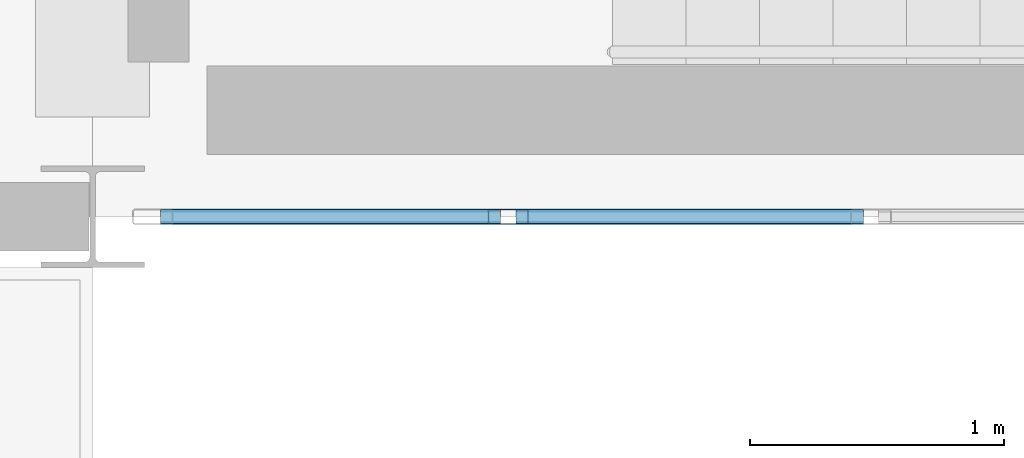
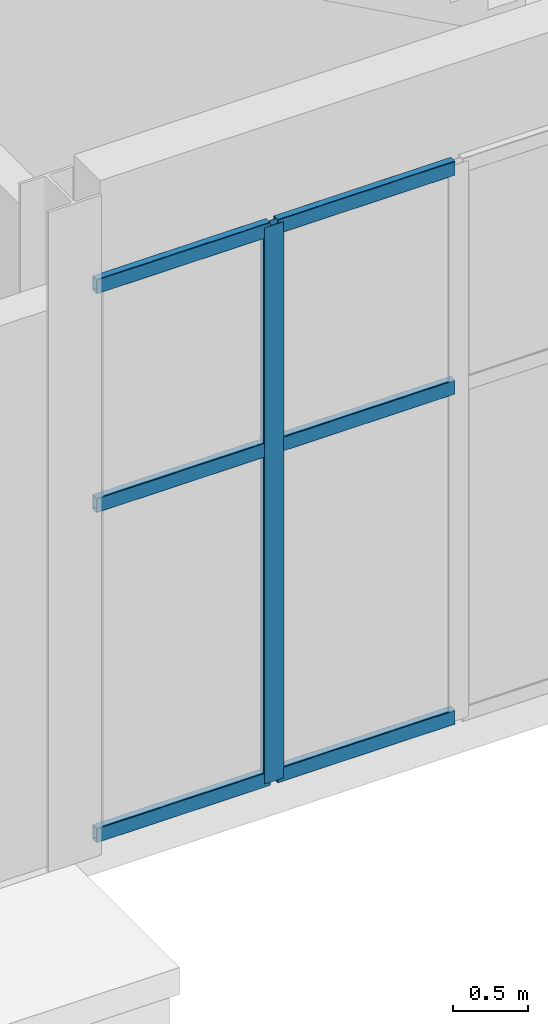
# One storey, part 55 of 95: 7 members, 1 element without a shape of its own.
"""IFC4 building model written with IfcOpenShell, lengths in metres."""

import ifcopenshell
import ifcopenshell.guid

model = None  # the IFC model being written
_history = None  # IfcOwnerHistory: only IFC2X3 demands one
_inside = {}  # id of a spatial element -> (the spatial element, [elements in it])
_under = {}  # id of a project, library or spatial element -> (it, [spatial elements below it])
_declared = {}  # id of a project -> (the project, [libraries it declares])
_typed = {}  # id of a type object -> (the type object, [elements of that type])
_made_of = {}  # id of a material, layer set ... -> (it, [elements and type objects made of it])


def new_model(schema):
    """Start an empty IFC model of exactly this schema.

    Asked for "IFC4X3", IfcOpenShell would pick the latest addendum, in which some entities
    have other attributes; the version numbers below select the first issue.
    IFC2X3 requires an IfcOwnerHistory on every rooted entity: one is made here for all.
    """
    global model, _history
    if schema == "IFC4X3":
        model = ifcopenshell.file(schema_version=(4, 3, 0, 0))
    else:
        model = ifcopenshell.file(schema=schema)
    _inside.clear()
    _under.clear()
    _declared.clear()
    _typed.clear()
    _made_of.clear()
    _history = None
    if model.schema == "IFC2X3":
        org = make("IfcOrganization", Name="unknown")
        user = make(
            "IfcPersonAndOrganization",
            ThePerson=make("IfcPerson", FamilyName="unknown"),
            TheOrganization=org,
        )
        app = make(
            "IfcApplication",
            ApplicationDeveloper=org,
            Version="unknown",
            ApplicationFullName="unknown",
            ApplicationIdentifier="unknown",
        )
        _history = make(
            "IfcOwnerHistory",
            OwningUser=user,
            OwningApplication=app,
            ChangeAction="ADDED",
            CreationDate=0,
        )
    return model


def make(cls, **values):
    """One entity of the class cls with the attributes given. An attribute that is None is left unset."""
    return model.create_entity(
        cls, **{name: value for name, value in values.items() if value is not None}
    )


def rooted(cls, **values):
    """An entity with a GlobalId (a new one), such as an element, a storey or a relation."""
    return make(cls, GlobalId=ifcopenshell.guid.new(), OwnerHistory=_history, **values)


def si_unit(unit_type, name, prefix=None):
    """IfcSIUnit, for example si_unit("LENGTHUNIT", "METRE", prefix="MILLI")."""
    return make("IfcSIUnit", UnitType=unit_type, Prefix=prefix, Name=name)


def assignment(units):
    """IfcUnitAssignment: the units of a project."""
    return None if units is None else make("IfcUnitAssignment", Units=units)


def point(xyz):
    """IfcCartesianPoint."""
    return None if xyz is None else make("IfcCartesianPoint", Coordinates=xyz)


def direction(xyz):
    """IfcDirection."""
    return None if xyz is None else make("IfcDirection", DirectionRatios=xyz)


def frame(location, z_axis=None, x_axis=None):
    """IfcAxis2Placement3D, a coordinate frame: its origin and axes. An axis left out is left unset."""
    return make(
        "IfcAxis2Placement3D",
        Location=point(location),
        Axis=direction(z_axis),
        RefDirection=direction(x_axis),
    )


def frame_2d(location, x_axis=None):
    """IfcAxis2Placement2D, a coordinate frame in the plane: its origin and x axis."""
    return make(
        "IfcAxis2Placement2D", Location=point(location), RefDirection=direction(x_axis)
    )


def origin():
    """The frame at (0, 0, 0) with its axes left unset."""
    return frame((0.0, 0.0, 0.0))


def origin_2d():
    """The frame at (0, 0) in the plane with its x axis left unset."""
    return frame_2d((0.0, 0.0))


def place(relative_to, where):
    """IfcLocalPlacement: puts the frame where relative to a parent placement (None: the world)."""
    return make(
        "IfcLocalPlacement", PlacementRelTo=relative_to, RelativePlacement=where
    )


def context(
    kind, dimensions, precision=None, world=None, true_north=None, identifier=None
):
    """IfcGeometricRepresentationContext, for example the 3D "Model" context."""
    return make(
        "IfcGeometricRepresentationContext",
        ContextIdentifier=identifier,
        ContextType=kind,
        CoordinateSpaceDimension=dimensions,
        Precision=precision,
        WorldCoordinateSystem=world,
        TrueNorth=true_north,
    )


def subcontext(parent, identifier, kind, view, scale=None):
    """IfcGeometricRepresentationSubContext, for example "Body" below "Model"."""
    return make(
        "IfcGeometricRepresentationSubContext",
        ContextIdentifier=identifier,
        ContextType=kind,
        ParentContext=parent,
        TargetScale=scale,
        TargetView=view,
    )


def project(units=None, contexts=None):
    """IfcProject with its units and contexts."""
    return rooted(
        "IfcProject",
        Name="project",
        RepresentationContexts=contexts,
        UnitsInContext=assignment(units),
    )


def spatial(cls, under=None, at=None, **own):
    """A site, building, storey or space (cls), placed at a placement, below another one or the project."""
    s = rooted(cls, ObjectPlacement=at, **own)
    if under is not None:
        _under.setdefault(under.id(), (under, []))[1].append(s)
    return s


def profile(cls, at=None, kind="AREA", **sizes):
    """A parametric profile (cls). Its sizes go by their IFC names, for example OverallWidth=200.0."""
    return make(cls, ProfileType=kind, Position=at, **sizes)


def hollow_rectangle(**sizes):
    """IfcRectangleHollowProfileDef."""
    return profile("IfcRectangleHollowProfileDef", **sizes)


def extrude(swept, where, along, depth):
    """IfcExtrudedAreaSolid: the profile swept, set in the frame where, extruded along a direction by depth."""
    return make(
        "IfcExtrudedAreaSolid",
        SweptArea=swept,
        Position=where,
        ExtrudedDirection=direction(along),
        Depth=depth,
    )


def shape(context_of_items, identifier, shape_type, items):
    """IfcShapeRepresentation: the items that make up one representation, for example the "Body"."""
    return make(
        "IfcShapeRepresentation",
        ContextOfItems=context_of_items,
        RepresentationIdentifier=identifier,
        RepresentationType=shape_type,
        Items=items,
    )


def material(Name=None, Category=None):
    """IfcMaterial."""
    return make("IfcMaterial", Name=Name, Category=Category)


def material_profile(
    of_material, cross_section, Name=None, Category=None, Priority=None
):
    """IfcMaterialProfile: a cross section and its material."""
    return make(
        "IfcMaterialProfile",
        Name=Name,
        Material=of_material,
        Profile=cross_section,
        Priority=Priority,
        Category=Category,
    )


def profile_set(profiles, Name=None, composite=None):
    """IfcMaterialProfileSet."""
    return make(
        "IfcMaterialProfileSet",
        Name=Name,
        MaterialProfiles=profiles,
        CompositeProfile=composite,
    )


def made_of(thing, what):
    """Note that an element or type object is made of a material, layer set ...; save() writes the relation."""
    if what is not None:
        _made_of.setdefault(what.id(), (what, []))[1].append(thing)
    return thing


def type_object(cls, material=None, **own):
    """A type object (cls), such as IfcWallType, which elements share."""
    return made_of(rooted(cls, **own), material)


def element(
    cls,
    number,
    at=None,
    inside=None,
    cuts=None,
    type_object=None,
    material=None,
    context=None,
    identifier="Body",
    shape_type=None,
    held_by="IfcProductDefinitionShape",
    body=None,
    shapes=None,
    **own,
):
    """One element of the class cls, such as IfcWall. Its Tag is "e" and its number.

    at: its placement. inside: the storey or other place that contains it. cuts: it is an
    opening in that element (IfcRelVoidsElement). A single representation is given by context,
    identifier, shape_type and body (its items); several are given by shapes. held_by: the class
    of the entity that holds the representations. save() writes the other relations.
    """
    e = rooted(cls, Tag="e%d" % number, ObjectPlacement=at, **own)
    if body is not None:
        shapes = [shape(context, identifier, shape_type, body)]
    if shapes is not None:
        e.Representation = make(held_by, Representations=shapes)
    if inside is not None:
        _inside.setdefault(inside.id(), (inside, []))[1].append(e)
    if cuts is not None:
        rooted(
            "IfcRelVoidsElement", RelatingBuildingElement=cuts, RelatedOpeningElement=e
        )
    if type_object is not None:
        _typed.setdefault(type_object.id(), (type_object, []))[1].append(e)
    return made_of(e, material)


def aggregate(whole, parts):
    """IfcRelAggregates: a whole, such as a stair, and the parts it consists of."""
    return rooted("IfcRelAggregates", RelatingObject=whole, RelatedObjects=parts)


def save(model, path):
    """Write the relations noted so far, then the file.

    IfcRelAggregates (storeys below a building ...), IfcRelContainedInSpatialStructure (elements
    in a storey), IfcRelDefinesByType, IfcRelAssociatesMaterial and IfcRelDeclares: one each for
    every whole, place, type object, material and project.
    """
    for whole, parts in _under.values():
        aggregate(whole, parts)
    for where, things in _inside.values():
        rooted(
            "IfcRelContainedInSpatialStructure",
            RelatedElements=things,
            RelatingStructure=where,
        )
    for kind, things in _typed.values():
        rooted("IfcRelDefinesByType", RelatedObjects=things, RelatingType=kind)
    for what, things in _made_of.values():
        rooted("IfcRelAssociatesMaterial", RelatedObjects=things, RelatingMaterial=what)
    for by, libraries in _declared.values():
        rooted("IfcRelDeclares", RelatingContext=by, RelatedDefinitions=libraries)
    model.write(path)


model = new_model("IFC4")

# Units and contexts
model_context = context("Model", 3, precision=1e-05, world=origin(), true_north=direction((0.0, 1.0)))
body_context = subcontext(model_context, "Body", "Model", "MODEL_VIEW")
ifc_project = project(units=[si_unit("LENGTHUNIT", "METRE"), si_unit("AREAUNIT", "SQUARE_METRE"), si_unit("VOLUMEUNIT", "CUBIC_METRE"), si_unit("PLANEANGLEUNIT", "RADIAN"), si_unit("MASSUNIT", "GRAM", prefix="KILO")], contexts=[model_context])

# Site, building, storey
site_placement = place(None, origin())
site = spatial("IfcSite", under=ifc_project, at=site_placement, CompositionType="ELEMENT")
building_placement = place(site_placement, origin())
building = spatial("IfcBuilding", under=site, at=building_placement, Name="Shengluoqiao Park Theatre", CompositionType="ELEMENT")
storey_placement = place(building_placement, origin())
storey = spatial("IfcBuildingStorey", under=building, at=storey_placement, Name="L00", CompositionType="ELEMENT", Elevation=0.0)

# Curtain wall, members
ifc_material = material(Name="Aluminium 6063-T6", Category="aluminium")
curtain_wall_type = type_object("IfcCurtainWallType", Name="ENV-CW-CLERE", PredefinedType="NOTDEFINED", material=ifc_material)
curtain_wall_placement = place(storey_placement, origin())
curtain_wall = element("IfcCurtainWall", 1, at=curtain_wall_placement, inside=storey, type_object=curtain_wall_type, Name="L00 Curtain Wall CWX-L00-0167", PredefinedType="NOTDEFINED")
ifc_material_profile_1 = material_profile(ifc_material, hollow_rectangle(XDim=0.06005859375, YDim=0.159912109375, WallThickness=0.00390625, InnerFilletRadius=0.00390625, OuterFilletRadius=0.008056640625, at=origin_2d()), Name="ALU MULLION 160x60x4")
ifc_profile_set_1 = profile_set([ifc_material_profile_1], Name="Aluminium 6063-T6")
member_type_1 = type_object("IfcMemberType", Name="ENV-MUL-160", PredefinedType="MULLION", material=ifc_profile_set_1)
member_1_placement = place(storey_placement, frame((141.03857421875, 84.0, 0.0), z_axis=(0.0, 0.0, 1.0), x_axis=(0.0, 1.0, 0.0)))
member_1 = element("IfcMember", 2, at=member_1_placement, type_object=member_type_1, Name="CW-06 mullion 2", PredefinedType="MULLION", context=body_context, shape_type="SweptSolid", body=[
    extrude(hollow_rectangle(XDim=0.06005859375, YDim=0.159912109375, WallThickness=0.00390625, InnerFilletRadius=0.00390625, OuterFilletRadius=0.008056640625, at=origin_2d()), origin(), (0.0, 0.0, 1.0), 4.550048828125),
])
ifc_material_profile_2 = material_profile(ifc_material, hollow_rectangle(XDim=0.06005859375, YDim=0.1201171875, WallThickness=0.00390625, InnerFilletRadius=0.00390625, OuterFilletRadius=0.008056640625, at=origin_2d()), Name="ALU TRANSOM 120x60x4")
ifc_profile_set_2 = profile_set([ifc_material_profile_2], Name="Aluminium 6063-T6")
member_type_2 = type_object("IfcMemberType", Name="ENV-TRN-120", PredefinedType="USERDEFINED", material=ifc_profile_set_2)
member_2_placement = place(storey_placement, frame((139.66796875, 84.0, 0.030029296875), z_axis=(1.0, 0.0, 0.0), x_axis=(0.0, 1.0, 0.0)))
member_2 = element("IfcMember", 3, at=member_2_placement, type_object=member_type_2, Name="CW-06 transom 1.1", ObjectType="TRANSOM", PredefinedType="USERDEFINED", context=body_context, shape_type="SweptSolid", body=[
    extrude(hollow_rectangle(XDim=0.06005859375, YDim=0.1201171875, WallThickness=0.00390625, InnerFilletRadius=0.00390625, OuterFilletRadius=0.008056640625, at=origin_2d()), origin(), (0.0, 0.0, 1.0), 1.340576171875),
])
member_3_placement = place(storey_placement, frame((139.66796875, 84.0, 2.72998046875), z_axis=(1.0, 0.0, 0.0), x_axis=(0.0, 1.0, 0.0)))
member_3 = element("IfcMember", 4, at=member_3_placement, type_object=member_type_2, Name="CW-06 transom 1.2", ObjectType="TRANSOM", PredefinedType="USERDEFINED", context=body_context, shape_type="SweptSolid", body=[
    extrude(hollow_rectangle(XDim=0.06005859375, YDim=0.1201171875, WallThickness=0.00390625, InnerFilletRadius=0.00390625, OuterFilletRadius=0.008056640625, at=origin_2d()), origin(), (0.0, 0.0, 1.0), 1.340576171875),
])
member_4_placement = place(storey_placement, frame((139.66796875, 84.0, 4.52001953125), z_axis=(1.0, 0.0, 0.0), x_axis=(0.0, 1.0, 0.0)))
member_4 = element("IfcMember", 5, at=member_4_placement, type_object=member_type_2, Name="CW-06 transom 1.3", ObjectType="TRANSOM", PredefinedType="USERDEFINED", context=body_context, shape_type="SweptSolid", body=[
    extrude(hollow_rectangle(XDim=0.06005859375, YDim=0.1201171875, WallThickness=0.00390625, InnerFilletRadius=0.00390625, OuterFilletRadius=0.008056640625, at=origin_2d()), origin(), (0.0, 0.0, 1.0), 1.340576171875),
])
member_5_placement = place(storey_placement, frame((141.068603515625, 84.0, 0.030029296875), z_axis=(1.0, 0.0, 0.0), x_axis=(0.0, 1.0, 0.0)))
member_5 = element("IfcMember", 6, at=member_5_placement, type_object=member_type_2, Name="CW-06 transom 2.1", ObjectType="TRANSOM", PredefinedType="USERDEFINED", context=body_context, shape_type="SweptSolid", body=[
    extrude(hollow_rectangle(XDim=0.06005859375, YDim=0.1201171875, WallThickness=0.00390625, InnerFilletRadius=0.00390625, OuterFilletRadius=0.008056640625, at=origin_2d()), origin(), (0.0, 0.0, 1.0), 1.370849609375),
])
member_6_placement = place(storey_placement, frame((141.068603515625, 84.0, 2.72998046875), z_axis=(1.0, 0.0, 0.0), x_axis=(0.0, 1.0, 0.0)))
member_6 = element("IfcMember", 7, at=member_6_placement, type_object=member_type_2, Name="CW-06 transom 2.2", ObjectType="TRANSOM", PredefinedType="USERDEFINED", context=body_context, shape_type="SweptSolid", body=[
    extrude(hollow_rectangle(XDim=0.06005859375, YDim=0.1201171875, WallThickness=0.00390625, InnerFilletRadius=0.00390625, OuterFilletRadius=0.008056640625, at=origin_2d()), origin(), (0.0, 0.0, 1.0), 1.370849609375),
])
member_7_placement = place(storey_placement, frame((141.068603515625, 84.0, 4.52001953125), z_axis=(1.0, 0.0, 0.0), x_axis=(0.0, 1.0, 0.0)))
member_7 = element("IfcMember", 8, at=member_7_placement, type_object=member_type_2, Name="CW-06 transom 2.3", ObjectType="TRANSOM", PredefinedType="USERDEFINED", context=body_context, shape_type="SweptSolid", body=[
    extrude(hollow_rectangle(XDim=0.06005859375, YDim=0.1201171875, WallThickness=0.00390625, InnerFilletRadius=0.00390625, OuterFilletRadius=0.008056640625, at=origin_2d()), origin(), (0.0, 0.0, 1.0), 1.370849609375),
])
aggregate(curtain_wall, [member_1, member_2, member_3, member_4, member_5, member_6, member_7])

save(model, "model.ifc")
